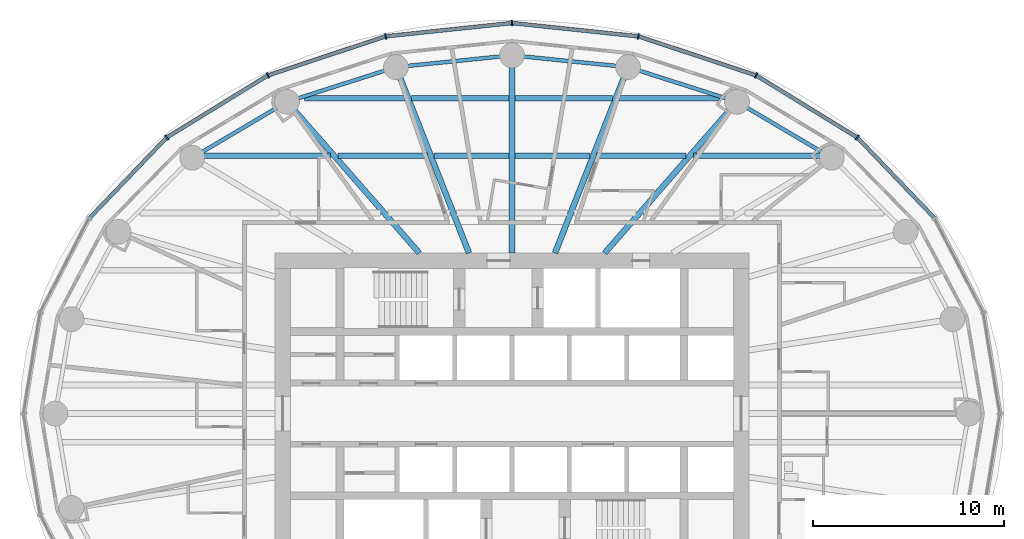
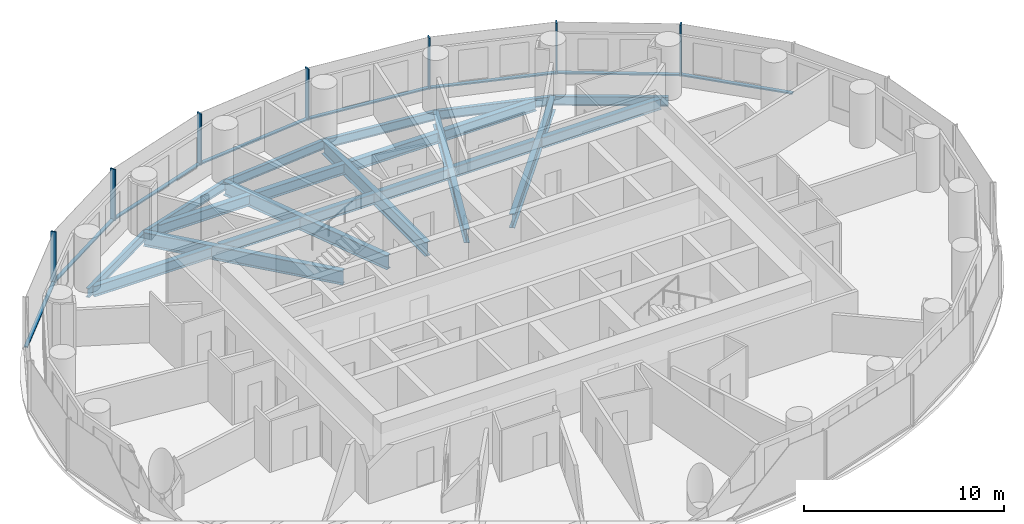
# One storey, part 4 of 13: 21 beams, 15 members, 2 elements without a shape of their own.
"""IFC4 building model written with IfcOpenShell, lengths in metres."""

from ifc_helpers import new_model, si_unit, direction, frame, origin, origin_2d, place, context, subcontext, project, spatial, rectangle, i_section, extrude, material, material_profile, profile_set, type_object, element, aggregate, save


model = new_model("IFC4")

# Units and contexts
model_context = context("Model", 3, precision=1e-05, world=origin(), true_north=direction((0.0, 1.0)))
body_context = subcontext(model_context, "Body", "Model", "MODEL_VIEW")
ifc_project = project(units=[si_unit("LENGTHUNIT", "METRE"), si_unit("AREAUNIT", "SQUARE_METRE"), si_unit("VOLUMEUNIT", "CUBIC_METRE"), si_unit("PLANEANGLEUNIT", "RADIAN"), si_unit("MASSUNIT", "GRAM", prefix="KILO")], contexts=[model_context])

# Site, building, storey
site_placement = place(None, origin())
site = spatial("IfcSite", under=ifc_project, at=site_placement, CompositionType="ELEMENT")
building_placement = place(site_placement, origin())
building = spatial("IfcBuilding", under=site, at=building_placement, Name="Hankou Lantern Tower", CompositionType="ELEMENT")
storey_placement = place(building_placement, frame((0.0, 0.0, 105.60009765625)))
storey = spatial("IfcBuildingStorey", under=building, at=storey_placement, Name="L26", CompositionType="ELEMENT", Elevation=105.60009765625)

# Beams
ifc_material_1 = material(Name="Steel Q355B", Category="steel")
ifc_material_profile_1 = material_profile(ifc_material_1, i_section(OverallWidth=0.199951171875, OverallDepth=0.550048828125, WebThickness=0.010009765625, FlangeThickness=0.01611328125, FilletRadius=0.012939453125, at=origin_2d()), Name="HN550x200x10x16")
ifc_profile_set_1 = profile_set([ifc_material_profile_1], Name="Steel Q355B")
beam_type_1 = type_object("IfcBeamType", Name="EB6 RING BEAM HN550x200x10x16", PredefinedType="SPANDREL", material=ifc_profile_set_1)
beam_1_placement = place(storey_placement, frame((16.73388671875, 13.38720703125, -0.455078125), z_axis=(-0.860988974188, 0.508623619513, 0.0), x_axis=(-0.508623619513, -0.860988974188, 0.0)))
element("IfcBeam", 1, at=beam_1_placement, inside=storey, type_object=beam_type_1, Name="Ring beam R04-R05 L26", PredefinedType="SPANDREL", context=body_context, shape_type="SweptSolid", body=[
    extrude(i_section(OverallWidth=0.199951171875, OverallDepth=0.550048828125, WebThickness=0.010009765625, FlangeThickness=0.01611328125, FilletRadius=0.012939453125, at=origin_2d()), origin(), (0.0, 0.0, 1.0), 5.759033203125),
])
beam_2_placement = place(storey_placement, frame((11.775390625, 16.31640625, -0.455078125), z_axis=(-0.952731090451, 0.303814860215, 0.0), x_axis=(-0.303814860215, -0.952731090451, 0.0)))
element("IfcBeam", 2, at=beam_2_placement, inside=storey, type_object=beam_type_1, Name="Ring beam R05-R06 L26", PredefinedType="SPANDREL", context=body_context, shape_type="SweptSolid", body=[
    extrude(i_section(OverallWidth=0.199951171875, OverallDepth=0.550048828125, WebThickness=0.010009765625, FlangeThickness=0.01611328125, FilletRadius=0.012939453125, at=origin_2d()), origin(), (0.0, 0.0, 1.0), 5.984375),
])
for number, where, z_axis, x_axis, name in (
    (3, (6.073974609375, 18.134521484375, -0.455078125), (-0.994905271594, 0.100814188259, 0.0), (-0.100814188259, -0.994905271594, 0.0), "Ring beam R06-R07 L26"),
    (4, (0.0, 18.75, -0.455078125), (-0.994905271594, -0.100814188259, 0.0), (0.100814188259, -0.994905271594, 0.0), "Ring beam R07-R08 L26"),
):
    element("IfcBeam", number, at=place(storey_placement, frame(where, z_axis=z_axis, x_axis=x_axis)), inside=storey, type_object=beam_type_1, Name=name, PredefinedType="SPANDREL", context=body_context, shape_type="SweptSolid", body=[
        extrude(i_section(OverallWidth=0.199951171875, OverallDepth=0.550048828125, WebThickness=0.010009765625, FlangeThickness=0.01611328125, FilletRadius=0.012939453125, at=origin_2d()), origin(), (0.0, 0.0, 1.0), 6.10498046875),
    ])
beam_3_placement = place(storey_placement, frame((-6.073974609375, 18.134521484375, -0.455078125), z_axis=(-0.952731090451, -0.303814860215, 0.0), x_axis=(0.303814860215, -0.952731090451, 0.0)))
element("IfcBeam", 5, at=beam_3_placement, inside=storey, type_object=beam_type_1, Name="Ring beam R08-R09 L26", PredefinedType="SPANDREL", context=body_context, shape_type="SweptSolid", body=[
    extrude(i_section(OverallWidth=0.199951171875, OverallDepth=0.550048828125, WebThickness=0.010009765625, FlangeThickness=0.01611328125, FilletRadius=0.012939453125, at=origin_2d()), origin(), (0.0, 0.0, 1.0), 5.984375),
])
beam_4_placement = place(storey_placement, frame((-11.775390625, 16.31640625, -0.455078125), z_axis=(-0.860988974188, -0.508623619513, 0.0), x_axis=(0.508623619513, -0.860988974188, 0.0)))
element("IfcBeam", 6, at=beam_4_placement, inside=storey, type_object=beam_type_1, Name="Ring beam R09-R10 L26", PredefinedType="SPANDREL", context=body_context, shape_type="SweptSolid", body=[
    extrude(i_section(OverallWidth=0.199951171875, OverallDepth=0.550048828125, WebThickness=0.010009765625, FlangeThickness=0.01611328125, FilletRadius=0.012939453125, at=origin_2d()), origin(), (0.0, 0.0, 1.0), 5.759033203125),
])

# Curtain wall, members
ifc_material_2 = material(Name="Glass, dark grey tinted laminated", Category="glass")
curtain_wall_type = type_object("IfcCurtainWallType", Name="CWB OUTER SKIN MID-RISE", PredefinedType="USERDEFINED", material=ifc_material_2)
curtain_wall_1_placement = place(storey_placement, origin())
curtain_wall_1 = element("IfcCurtainWall", 7, at=curtain_wall_1_placement, inside=storey, type_object=curtain_wall_type, Name="CWB L26 OS1", ObjectType="OUTER SKIN MID-RISE", PredefinedType="USERDEFINED")
ifc_material_3 = material(Name="Aluminium, black anodised", Category="aluminium")
ifc_material_profile_2 = material_profile(ifc_material_3, rectangle(XDim=0.080078125, YDim=0.300048828125, at=origin_2d()), Name="MU1 80X300")
ifc_profile_set_2 = profile_set([ifc_material_profile_2], Name="Aluminium, black anodised")
member_type_1 = type_object("IfcMemberType", Name="MU1 OUTER SKIN MULLION 80X300", PredefinedType="MULLION", material=ifc_profile_set_2)
member_1_placement = place(storey_placement, frame((18.066650390625, 14.453369140625, 0.0), z_axis=(0.0, 0.0, 1.0), x_axis=(-0.780868809444, 0.624695047553, 0.0)))
member_1 = element("IfcMember", 8, at=member_1_placement, type_object=member_type_1, Name="CWB mullion 4", PredefinedType="MULLION", context=body_context, shape_type="SweptSolid", body=[
    extrude(rectangle(XDim=0.080078125, YDim=0.300048828125, at=origin_2d()), origin(), (0.0, 0.0, 1.0), 3.119873046875),
])
member_2_placement = place(storey_placement, frame((12.77490234375, 17.70166015625, 0.0), z_axis=(0.0, 0.0, 1.0), x_axis=(-0.907841299004, 0.419313934686, 0.0)))
member_2 = element("IfcMember", 9, at=member_2_placement, type_object=member_type_1, Name="CWB mullion 5", PredefinedType="MULLION", context=body_context, shape_type="SweptSolid", body=[
    extrude(rectangle(XDim=0.080078125, YDim=0.300048828125, at=origin_2d()), origin(), (0.0, 0.0, 1.0), 3.119873046875),
])
member_3_placement = place(storey_placement, frame((6.61279296875, 19.743408203125, 0.0), z_axis=(0.0, 0.0, 1.0), x_axis=(-0.977787659625, 0.209597931016, 0.0)))
member_3 = element("IfcMember", 10, at=member_3_placement, type_object=member_type_1, Name="CWB mullion 6", PredefinedType="MULLION", context=body_context, shape_type="SweptSolid", body=[
    extrude(rectangle(XDim=0.080078125, YDim=0.300048828125, at=origin_2d()), origin(), (0.0, 0.0, 1.0), 3.119873046875),
])

curtain_wall_2_placement = place(storey_placement, origin())
curtain_wall_2 = element("IfcCurtainWall", 11, at=curtain_wall_2_placement, inside=storey, type_object=curtain_wall_type, Name="CWB L26 OS2", ObjectType="OUTER SKIN MID-RISE", PredefinedType="USERDEFINED")
member_4_placement = place(storey_placement, frame((0.0, 20.43994140625, 0.0), z_axis=(0.0, 0.0, 1.0), x_axis=(-0.994499359107, -0.104742659579, 0.0)))
member_4 = element("IfcMember", 12, at=member_4_placement, type_object=member_type_1, Name="CWB mullion 1", PredefinedType="MULLION", context=body_context, shape_type="SweptSolid", body=[
    extrude(rectangle(XDim=0.080078125, YDim=0.300048828125, at=origin_2d()), origin(), (0.0, 0.0, 1.0), 3.119873046875),
])
member_5_placement = place(storey_placement, frame((-6.61279296875, 19.743408203125, 0.0), z_axis=(0.0, 0.0, 1.0), x_axis=(-0.977787659625, -0.209597931016, 0.0)))
member_5 = element("IfcMember", 13, at=member_5_placement, type_object=member_type_1, Name="CWB mullion 2", PredefinedType="MULLION", context=body_context, shape_type="SweptSolid", body=[
    extrude(rectangle(XDim=0.080078125, YDim=0.300048828125, at=origin_2d()), origin(), (0.0, 0.0, 1.0), 3.119873046875),
])
member_6_placement = place(storey_placement, frame((-12.77490234375, 17.70166015625, 0.0), z_axis=(0.0, 0.0, 1.0), x_axis=(-0.907841299004, -0.419313934686, 0.0)))
member_6 = element("IfcMember", 14, at=member_6_placement, type_object=member_type_1, Name="CWB mullion 3", PredefinedType="MULLION", context=body_context, shape_type="SweptSolid", body=[
    extrude(rectangle(XDim=0.080078125, YDim=0.300048828125, at=origin_2d()), origin(), (0.0, 0.0, 1.0), 3.119873046875),
])
member_7_placement = place(storey_placement, frame((-18.066650390625, 14.453369140625, 0.0), z_axis=(0.0, 0.0, 1.0), x_axis=(-0.780868809444, -0.624695047553, 0.0)))
member_7 = element("IfcMember", 15, at=member_7_placement, type_object=member_type_1, Name="CWB mullion 4", PredefinedType="MULLION", context=body_context, shape_type="SweptSolid", body=[
    extrude(rectangle(XDim=0.080078125, YDim=0.300048828125, at=origin_2d()), origin(), (0.0, 0.0, 1.0), 3.119873046875),
])

# Beams
ifc_material_4 = material(Name="Steel Q355B", Category="steel")
ifc_material_profile_3 = material_profile(ifc_material_4, i_section(OverallWidth=0.300048828125, OverallDepth=0.85009765625, WebThickness=0.01611328125, FlangeThickness=0.027099609375, FilletRadius=0.01806640625, at=origin_2d()), Name="HN850x300x16x27")
ifc_profile_set_3 = profile_set([ifc_material_profile_3], Name="Steel Q355B")
beam_type_2 = type_object("IfcBeamType", Name="RB12 RADIAL BEAM HN850x300x16x27", PredefinedType="BEAM", material=ifc_profile_set_3)
beam_5_placement = place(storey_placement, frame((4.849853515625, 8.39990234375, -0.60498046875), z_axis=(0.658429014446, 0.752642832249, 0.0), x_axis=(-0.752642832249, 0.658429014446, 0.0)))
element("IfcBeam", 16, at=beam_5_placement, inside=storey, type_object=beam_type_2, Name="Radial beam R05 L26", PredefinedType="BEAM", context=body_context, shape_type="SweptSolid", body=[
    extrude(i_section(OverallWidth=0.300048828125, OverallDepth=0.85009765625, WebThickness=0.01611328125, FlangeThickness=0.027099609375, FilletRadius=0.01806640625, at=origin_2d()), origin(), (0.0, 0.0, 1.0), 10.518310546875),
])
beam_6_placement = place(storey_placement, frame((2.250732421875, 8.39990234375, -0.60498046875), z_axis=(0.365563535437, 0.930786388791, 0.0), x_axis=(-0.930786388791, 0.365563535437, 0.0)))
element("IfcBeam", 17, at=beam_6_placement, inside=storey, type_object=beam_type_2, Name="Radial beam R06 L26", PredefinedType="BEAM", context=body_context, shape_type="SweptSolid", body=[
    extrude(i_section(OverallWidth=0.300048828125, OverallDepth=0.85009765625, WebThickness=0.01611328125, FlangeThickness=0.027099609375, FilletRadius=0.01806640625, at=origin_2d()), origin(), (0.0, 0.0, 1.0), 10.45849609375),
])
beam_7_placement = place(storey_placement, frame((0.0, 8.39990234375, -0.60498046875), z_axis=(0.0, 1.0, 0.0), x_axis=(-1.0, 0.0, 0.0)))
element("IfcBeam", 18, at=beam_7_placement, inside=storey, type_object=beam_type_2, Name="Radial beam R07 L26", PredefinedType="BEAM", context=body_context, shape_type="SweptSolid", body=[
    extrude(i_section(OverallWidth=0.300048828125, OverallDepth=0.85009765625, WebThickness=0.01611328125, FlangeThickness=0.027099609375, FilletRadius=0.01806640625, at=origin_2d()), origin(), (0.0, 0.0, 1.0), 10.35009765625),
])
beam_8_placement = place(storey_placement, frame((-2.250732421875, 8.39990234375, -0.60498046875), z_axis=(-0.365563535437, 0.930786388791, 0.0), x_axis=(-0.930786388791, -0.365563535437, 0.0)))
element("IfcBeam", 19, at=beam_8_placement, inside=storey, type_object=beam_type_2, Name="Radial beam R08 L26", PredefinedType="BEAM", context=body_context, shape_type="SweptSolid", body=[
    extrude(i_section(OverallWidth=0.300048828125, OverallDepth=0.85009765625, WebThickness=0.01611328125, FlangeThickness=0.027099609375, FilletRadius=0.01806640625, at=origin_2d()), origin(), (0.0, 0.0, 1.0), 10.45849609375),
])
beam_9_placement = place(storey_placement, frame((-4.849853515625, 8.39990234375, -0.60498046875), z_axis=(-0.658429014446, 0.752642832249, 0.0), x_axis=(-0.752642832249, -0.658429014446, 0.0)))
element("IfcBeam", 20, at=beam_9_placement, inside=storey, type_object=beam_type_2, Name="Radial beam R09 L26", PredefinedType="BEAM", context=body_context, shape_type="SweptSolid", body=[
    extrude(i_section(OverallWidth=0.300048828125, OverallDepth=0.85009765625, WebThickness=0.01611328125, FlangeThickness=0.027099609375, FilletRadius=0.01806640625, at=origin_2d()), origin(), (0.0, 0.0, 1.0), 10.518310546875),
])
ifc_material_5 = material(Name="Steel Q355B", Category="steel")
ifc_material_profile_4 = material_profile(ifc_material_5, i_section(OverallWidth=0.300048828125, OverallDepth=0.64990234375, WebThickness=0.010986328125, FlangeThickness=0.01708984375, FilletRadius=0.01806640625, at=origin_2d()), Name="HN650x300x11x17")
ifc_profile_set_4 = profile_set([ifc_material_profile_4], Name="Steel Q355B")
beam_type_3 = type_object("IfcBeamType", Name="SB8 SECONDARY BEAM HN650x300x11x17", PredefinedType="JOIST", material=ifc_profile_set_4)
beam_10_placement = place(storey_placement, frame((-16.34619140625, 13.5, -0.505126953125), z_axis=(1.0, 0.0, 0.0), x_axis=(0.0, 1.0, 0.0)))
element("IfcBeam", 21, at=beam_10_placement, inside=storey, type_object=beam_type_3, Name="Floor joist J043 L26", PredefinedType="JOIST", context=body_context, shape_type="SweptSolid", body=[
    extrude(i_section(OverallWidth=0.300048828125, OverallDepth=0.64990234375, WebThickness=0.010986328125, FlangeThickness=0.01708984375, FilletRadius=0.01806640625, at=origin_2d()), origin(), (0.0, 0.0, 1.0), 6.83544921875),
])
beam_11_placement = place(storey_placement, frame((-9.112060546875, 13.5, -0.505126953125), z_axis=(1.0, 0.0, 0.0), x_axis=(0.0, 1.0, 0.0)))
element("IfcBeam", 22, at=beam_11_placement, inside=storey, type_object=beam_type_3, Name="Floor joist J044 L26", PredefinedType="JOIST", context=body_context, shape_type="SweptSolid", body=[
    extrude(i_section(OverallWidth=0.300048828125, OverallDepth=0.64990234375, WebThickness=0.010986328125, FlangeThickness=0.01708984375, FilletRadius=0.01806640625, at=origin_2d()), origin(), (0.0, 0.0, 1.0), 4.697021484375),
])
for number, where, z_axis, x_axis, name in (
    (23, (-4.092529296875, 13.5, -0.505126953125), (1.0, 0.0, 0.0), (0.0, 1.0, 0.0), "Floor joist J045 L26"),
    (24, (0.14990234375, 13.5, -0.505126953125), (1.0, 0.0, 0.0), (0.0, 1.0, 0.0), "Floor joist J046 L26"),
):
    element("IfcBeam", number, at=place(storey_placement, frame(where, z_axis=z_axis, x_axis=x_axis)), inside=storey, type_object=beam_type_3, Name=name, PredefinedType="JOIST", context=body_context, shape_type="SweptSolid", body=[
        extrude(i_section(OverallWidth=0.300048828125, OverallDepth=0.64990234375, WebThickness=0.010986328125, FlangeThickness=0.01708984375, FilletRadius=0.01806640625, at=origin_2d()), origin(), (0.0, 0.0, 1.0), 3.942626953125),
    ])
beam_12_placement = place(storey_placement, frame((4.4150390625, 13.5, -0.505126953125), z_axis=(1.0, 0.0, 0.0), x_axis=(0.0, 1.0, 0.0)))
element("IfcBeam", 25, at=beam_12_placement, inside=storey, type_object=beam_type_3, Name="Floor joist J047 L26", PredefinedType="JOIST", context=body_context, shape_type="SweptSolid", body=[
    extrude(i_section(OverallWidth=0.300048828125, OverallDepth=0.64990234375, WebThickness=0.010986328125, FlangeThickness=0.01708984375, FilletRadius=0.01806640625, at=origin_2d()), origin(), (0.0, 0.0, 1.0), 4.697021484375),
])
beam_13_placement = place(storey_placement, frame((9.5107421875, 13.5, -0.505126953125), z_axis=(1.0, 0.0, 0.0), x_axis=(0.0, 1.0, 0.0)))
element("IfcBeam", 26, at=beam_13_placement, inside=storey, type_object=beam_type_3, Name="Floor joist J048 L26", PredefinedType="JOIST", context=body_context, shape_type="SweptSolid", body=[
    extrude(i_section(OverallWidth=0.300048828125, OverallDepth=0.64990234375, WebThickness=0.010986328125, FlangeThickness=0.01708984375, FilletRadius=0.01806640625, at=origin_2d()), origin(), (0.0, 0.0, 1.0), 6.83544921875),
])
beam_14_placement = place(storey_placement, frame((-10.8701171875, 16.5, -0.505126953125), z_axis=(1.0, 0.0, 0.0), x_axis=(0.0, 1.0, 0.0)))
element("IfcBeam", 27, at=beam_14_placement, inside=storey, type_object=beam_type_3, Name="Floor joist J049 L26", PredefinedType="JOIST", context=body_context, shape_type="SweptSolid", body=[
    extrude(i_section(OverallWidth=0.300048828125, OverallDepth=0.64990234375, WebThickness=0.010986328125, FlangeThickness=0.01708984375, FilletRadius=0.01806640625, at=origin_2d()), origin(), (0.0, 0.0, 1.0), 5.27685546875),
])
for number, where, z_axis, x_axis, name in (
    (28, (-5.270751953125, 16.5, -0.505126953125), (1.0, 0.0, 0.0), (0.0, 1.0, 0.0), "Floor joist J050 L26"),
    (29, (0.14990234375, 16.5, -0.505126953125), (1.0, 0.0, 0.0), (0.0, 1.0, 0.0), "Floor joist J051 L26"),
):
    element("IfcBeam", number, at=place(storey_placement, frame(where, z_axis=z_axis, x_axis=x_axis)), inside=storey, type_object=beam_type_3, Name=name, PredefinedType="JOIST", context=body_context, shape_type="SweptSolid", body=[
        extrude(i_section(OverallWidth=0.300048828125, OverallDepth=0.64990234375, WebThickness=0.010986328125, FlangeThickness=0.01708984375, FilletRadius=0.01806640625, at=origin_2d()), origin(), (0.0, 0.0, 1.0), 5.120849609375),
    ])
beam_15_placement = place(storey_placement, frame((5.59326171875, 16.5, -0.505126953125), z_axis=(1.0, 0.0, 0.0), x_axis=(0.0, 1.0, 0.0)))
element("IfcBeam", 30, at=beam_15_placement, inside=storey, type_object=beam_type_3, Name="Floor joist J052 L26", PredefinedType="JOIST", context=body_context, shape_type="SweptSolid", body=[
    extrude(i_section(OverallWidth=0.300048828125, OverallDepth=0.64990234375, WebThickness=0.010986328125, FlangeThickness=0.01708984375, FilletRadius=0.01806640625, at=origin_2d()), origin(), (0.0, 0.0, 1.0), 5.27685546875),
])

# Member
ifc_material_6 = material(Name="Aluminium, black anodised", Category="aluminium")
ifc_material_profile_5 = material_profile(ifc_material_6, rectangle(XDim=0.199951171875, YDim=0.080078125, at=origin_2d()), Name="TR1 200X80")
ifc_profile_set_5 = profile_set([ifc_material_profile_5], Name="Aluminium, black anodised")
member_type_2 = type_object("IfcMemberType", Name="TR1 OUTER SKIN TRANSOM 200X80", PredefinedType="USERDEFINED", material=ifc_profile_set_5)
member_8_placement = place(storey_placement, frame((22.099365234375, 10.248779296875, 0.039794921875), z_axis=(-0.692226977748, 0.721679853729, 0.0), x_axis=(-0.721679853729, -0.692226977748, 0.0)))
member_8 = element("IfcMember", 31, at=member_8_placement, type_object=member_type_2, Name="CWB transom 3", ObjectType="TRANSOM", PredefinedType="USERDEFINED", context=body_context, shape_type="SweptSolid", body=[
    extrude(rectangle(XDim=0.199951171875, YDim=0.080078125, at=origin_2d()), origin(), (0.0, 0.0, 1.0), 5.785888671875),
])

member_9_placement = place(storey_placement, frame((18.032470703125, 14.47412109375, 0.039794921875), z_axis=(-0.852229492169, 0.523168130411, 0.0), x_axis=(-0.523168130411, -0.852229492169, 0.0)))
member_9 = element("IfcMember", 32, at=member_9_placement, type_object=member_type_2, Name="CWB transom 4", ObjectType="TRANSOM", PredefinedType="USERDEFINED", context=body_context, shape_type="SweptSolid", body=[
    extrude(rectangle(XDim=0.199951171875, YDim=0.080078125, at=origin_2d()), origin(), (0.0, 0.0, 1.0), 6.129150390625),
])

member_10_placement = place(storey_placement, frame((12.737060546875, 17.714111328125, 0.039794921875), z_axis=(-0.949237765745, 0.314559476225, 0.0), x_axis=(-0.314559476225, -0.949237765745, 0.0)))
member_10 = element("IfcMember", 33, at=member_10_placement, type_object=member_type_2, Name="CWB transom 5", ObjectType="TRANSOM", PredefinedType="USERDEFINED", context=body_context, shape_type="SweptSolid", body=[
    extrude(rectangle(XDim=0.199951171875, YDim=0.080078125, at=origin_2d()), origin(), (0.0, 0.0, 1.0), 6.41162109375),
])

member_11_placement = place(storey_placement, frame((6.572998046875, 19.747802734375, 0.039794921875), z_axis=(-0.994500972001, 0.10472734451, 0.0), x_axis=(-0.10472734451, -0.994500972001, 0.0)))
member_11 = element("IfcMember", 34, at=member_11_placement, type_object=member_type_2, Name="CWB transom 6", ObjectType="TRANSOM", PredefinedType="USERDEFINED", context=body_context, shape_type="SweptSolid", body=[
    extrude(rectangle(XDim=0.199951171875, YDim=0.080078125, at=origin_2d()), origin(), (0.0, 0.0, 1.0), 6.5693359375),
])

aggregate(curtain_wall_1, [member_1, member_2, member_3, member_8, member_9, member_10, member_11])

member_12_placement = place(storey_placement, frame((-0.039794921875, 20.435791015625, 0.039794921875), z_axis=(-0.994500972001, -0.10472734451, 0.0), x_axis=(0.10472734451, -0.994500972001, 0.0)))
member_12 = element("IfcMember", 35, at=member_12_placement, type_object=member_type_2, Name="CWB transom 1", ObjectType="TRANSOM", PredefinedType="USERDEFINED", context=body_context, shape_type="SweptSolid", body=[
    extrude(rectangle(XDim=0.199951171875, YDim=0.080078125, at=origin_2d()), origin(), (0.0, 0.0, 1.0), 6.5693359375),
])

member_13_placement = place(storey_placement, frame((-6.65087890625, 19.73095703125, 0.039794921875), z_axis=(-0.949237765745, -0.314559476225, 0.0), x_axis=(0.314559476225, -0.949237765745, 0.0)))
member_13 = element("IfcMember", 36, at=member_13_placement, type_object=member_type_2, Name="CWB transom 2", ObjectType="TRANSOM", PredefinedType="USERDEFINED", context=body_context, shape_type="SweptSolid", body=[
    extrude(rectangle(XDim=0.199951171875, YDim=0.080078125, at=origin_2d()), origin(), (0.0, 0.0, 1.0), 6.41162109375),
])

member_14_placement = place(storey_placement, frame((-12.80908203125, 17.6806640625, 0.039794921875), z_axis=(-0.852229492169, -0.523168130411, 0.0), x_axis=(0.523168130411, -0.852229492169, 0.0)))
member_14 = element("IfcMember", 37, at=member_14_placement, type_object=member_type_2, Name="CWB transom 3", ObjectType="TRANSOM", PredefinedType="USERDEFINED", context=body_context, shape_type="SweptSolid", body=[
    extrude(rectangle(XDim=0.199951171875, YDim=0.080078125, at=origin_2d()), origin(), (0.0, 0.0, 1.0), 6.129150390625),
])

member_15_placement = place(storey_placement, frame((-18.09423828125, 14.42431640625, 0.039794921875), z_axis=(-0.692226977748, -0.721679853729, 0.0), x_axis=(0.721679853729, -0.692226977748, 0.0)))
member_15 = element("IfcMember", 38, at=member_15_placement, type_object=member_type_2, Name="CWB transom 4", ObjectType="TRANSOM", PredefinedType="USERDEFINED", context=body_context, shape_type="SweptSolid", body=[
    extrude(rectangle(XDim=0.199951171875, YDim=0.080078125, at=origin_2d()), origin(), (0.0, 0.0, 1.0), 5.785888671875),
])

aggregate(curtain_wall_2, [member_4, member_5, member_6, member_7, member_12, member_13, member_14, member_15])

save(model, "model.ifc")
